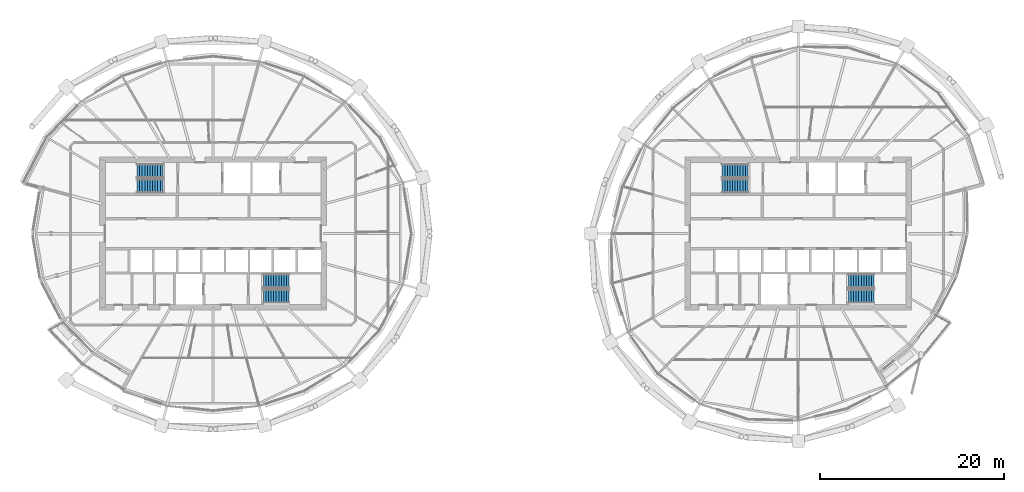
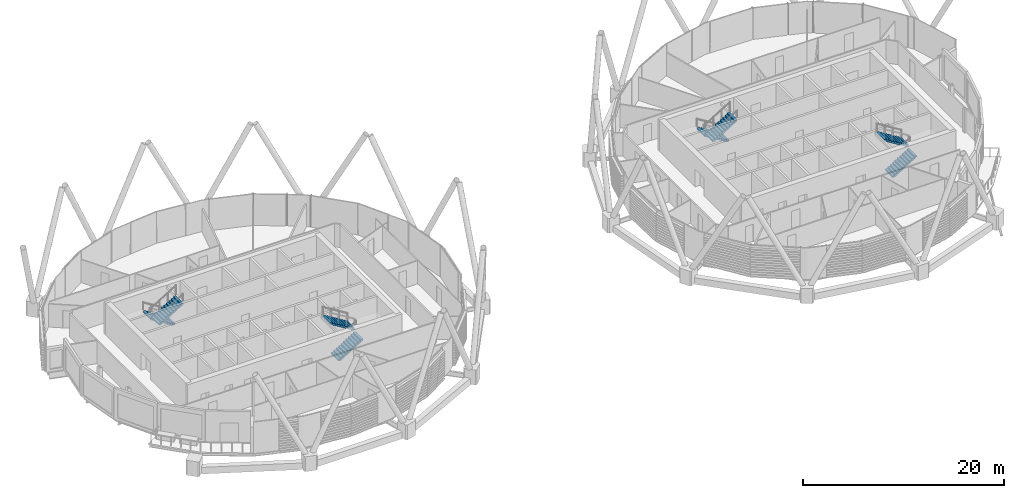
# One storey, part 28 of 36: 8 stair flights, 4 elements without a shape of their own.
"""IFC4 building model written with IfcOpenShell, lengths in metres."""

from ifc_helpers import new_model, si_unit, direction, frame, origin, place, context, subcontext, project, spatial, polyline, outline, extrude, material, type_object, element, aggregate, save


model = new_model("IFC4")

# Units and contexts
model_context = context("Model", 3, precision=1e-05, world=origin(), true_north=direction((0.0, 1.0)))
body_context = subcontext(model_context, "Body", "Model", "MODEL_VIEW")
ifc_project = project(units=[si_unit("LENGTHUNIT", "METRE"), si_unit("AREAUNIT", "SQUARE_METRE"), si_unit("VOLUMEUNIT", "CUBIC_METRE"), si_unit("PLANEANGLEUNIT", "RADIAN"), si_unit("MASSUNIT", "GRAM", prefix="KILO")], contexts=[model_context])

# Site, building, storey
site_placement = place(None, origin())
site = spatial("IfcSite", under=ifc_project, at=site_placement, CompositionType="ELEMENT")
building_placement = place(site_placement, origin())
building = spatial("IfcBuilding", under=site, at=building_placement, Name="Rimbun Link Towers", CompositionType="ELEMENT")
storey_placement = place(building_placement, frame((0.0, 0.0, 193.10009765625)))
storey = spatial("IfcBuildingStorey", under=building, at=storey_placement, Name="L47", CompositionType="ELEMENT", Elevation=193.10009765625)

# Stair, stair flights
ifc_material_1 = material(Name="Concrete C40/50", Category="concrete")
stair_type = type_object("IfcStairType", Name="Exit stair 3800 rise", PredefinedType="HALF_TURN_STAIR", material=ifc_material_1)
stair_1_placement = place(storey_placement, origin())
stair_1 = element("IfcStair", 1, at=stair_1_placement, inside=storey, type_object=stair_type, Name="L47 EXIT STAIR A", PredefinedType="HALF_TURN_STAIR")
ifc_material_2 = material(Name="Concrete C40/50", Category="concrete")
stair_flight_type = type_object("IfcStairFlightType", Name="Exit stair flight 3800 rise", PredefinedType="STRAIGHT", material=ifc_material_2)
stair_flight_1_placement = place(storey_placement, frame((-37.199951171875, 6.800048828125, 0.0), z_axis=(0.0, 0.0, 1.0), x_axis=(-1.0, 0.0, 0.0)))
stair_flight_1 = element("IfcStairFlight", 2, at=stair_flight_1_placement, type_object=stair_flight_type, Name="ST1 flight 1", NumberOfRisers=11, NumberOfTreads=10, PredefinedType="STRAIGHT", RiserHeight=0.172727273, TreadLength=0.28, context=body_context, shape_type="SweptSolid", body=[
    extrude(outline(polyline([(0.0, 0.0), (0.0, 0.172607421875), (0.280029296875, 0.172607421875), (0.280029296875, 0.345458984375), (0.56005859375, 0.345458984375), (0.56005859375, 0.51806640625), (0.840087890625, 0.51806640625), (0.840087890625, 0.69091796875), (1.1201171875, 0.69091796875), (1.1201171875, 0.863525390625), (1.39990234375, 0.863525390625), (1.39990234375, 1.036376953125), (1.679931640625, 1.036376953125), (1.679931640625, 1.208984375), (1.9599609375, 1.208984375), (1.9599609375, 1.3818359375), (2.239990234375, 1.3818359375), (2.239990234375, 1.554443359375), (2.52001953125, 1.554443359375), (2.52001953125, 1.727294921875), (2.800048828125, 1.727294921875), (2.800048828125, 1.89990234375), (2.800048828125, 1.551025390625), (0.280029296875, 0.0), (0.0, 0.0)])), frame((0.0, 0.75, 0.0), z_axis=(0.0, -1.0, 0.0), x_axis=(1.0, 0.0, 0.0)), (0.0, 0.0, 1.0), 1.5),
])
stair_flight_2_placement = place(storey_placement, frame((-40.0, 5.14990234375, 1.89990234375), z_axis=(0.0, 0.0, 1.0), x_axis=(1.0, 0.0, 0.0)))
stair_flight_2 = element("IfcStairFlight", 3, at=stair_flight_2_placement, type_object=stair_flight_type, Name="ST1 flight 2", NumberOfRisers=11, NumberOfTreads=10, PredefinedType="STRAIGHT", RiserHeight=0.172727273, TreadLength=0.28, context=body_context, shape_type="SweptSolid", body=[
    extrude(outline(polyline([(0.0, 0.0), (0.0, 0.172607421875), (0.280029296875, 0.172607421875), (0.280029296875, 0.345458984375), (0.56005859375, 0.345458984375), (0.56005859375, 0.51806640625), (0.840087890625, 0.51806640625), (0.840087890625, 0.69091796875), (1.1201171875, 0.69091796875), (1.1201171875, 0.863525390625), (1.39990234375, 0.863525390625), (1.39990234375, 1.036376953125), (1.679931640625, 1.036376953125), (1.679931640625, 1.208984375), (1.9599609375, 1.208984375), (1.9599609375, 1.3818359375), (2.239990234375, 1.3818359375), (2.239990234375, 1.554443359375), (2.52001953125, 1.554443359375), (2.52001953125, 1.727294921875), (2.800048828125, 1.727294921875), (2.800048828125, 1.89990234375), (2.800048828125, 1.551025390625), (0.280029296875, 0.0), (0.0, 0.0)])), frame((0.0, 0.75, 0.0), z_axis=(0.0, -1.0, 0.0), x_axis=(1.0, 0.0, 0.0)), (0.0, 0.0, 1.0), 1.5),
])
aggregate(stair_1, [stair_flight_1, stair_flight_2])

stair_2_placement = place(storey_placement, origin())
stair_2 = element("IfcStair", 4, at=stair_2_placement, inside=storey, type_object=stair_type, Name="L47 EXIT STAIR B", PredefinedType="HALF_TURN_STAIR")
stair_flight_3_placement = place(storey_placement, frame((-26.300048828125, -6.800048828125, 0.0), z_axis=(0.0, 0.0, 1.0), x_axis=(1.0, 0.0, 0.0)))
stair_flight_3 = element("IfcStairFlight", 5, at=stair_flight_3_placement, type_object=stair_flight_type, Name="ST2 flight 1", NumberOfRisers=11, NumberOfTreads=10, PredefinedType="STRAIGHT", RiserHeight=0.172727273, TreadLength=0.28, context=body_context, shape_type="SweptSolid", body=[
    extrude(outline(polyline([(0.0, 0.0), (0.0, 0.172607421875), (0.280029296875, 0.172607421875), (0.280029296875, 0.345458984375), (0.56005859375, 0.345458984375), (0.56005859375, 0.51806640625), (0.840087890625, 0.51806640625), (0.840087890625, 0.69091796875), (1.1201171875, 0.69091796875), (1.1201171875, 0.863525390625), (1.39990234375, 0.863525390625), (1.39990234375, 1.036376953125), (1.679931640625, 1.036376953125), (1.679931640625, 1.208984375), (1.9599609375, 1.208984375), (1.9599609375, 1.3818359375), (2.239990234375, 1.3818359375), (2.239990234375, 1.554443359375), (2.52001953125, 1.554443359375), (2.52001953125, 1.727294921875), (2.800048828125, 1.727294921875), (2.800048828125, 1.89990234375), (2.800048828125, 1.551025390625), (0.280029296875, 0.0), (0.0, 0.0)])), frame((0.0, 0.75, 0.0), z_axis=(0.0, -1.0, 0.0), x_axis=(1.0, 0.0, 0.0)), (0.0, 0.0, 1.0), 1.5),
])
stair_flight_4_placement = place(storey_placement, frame((-23.5, -5.14990234375, 1.89990234375), z_axis=(0.0, 0.0, 1.0), x_axis=(-1.0, 0.0, 0.0)))
stair_flight_4 = element("IfcStairFlight", 6, at=stair_flight_4_placement, type_object=stair_flight_type, Name="ST2 flight 2", NumberOfRisers=11, NumberOfTreads=10, PredefinedType="STRAIGHT", RiserHeight=0.172727273, TreadLength=0.28, context=body_context, shape_type="SweptSolid", body=[
    extrude(outline(polyline([(0.0, 0.0), (0.0, 0.172607421875), (0.280029296875, 0.172607421875), (0.280029296875, 0.345458984375), (0.56005859375, 0.345458984375), (0.56005859375, 0.51806640625), (0.840087890625, 0.51806640625), (0.840087890625, 0.69091796875), (1.1201171875, 0.69091796875), (1.1201171875, 0.863525390625), (1.39990234375, 0.863525390625), (1.39990234375, 1.036376953125), (1.679931640625, 1.036376953125), (1.679931640625, 1.208984375), (1.9599609375, 1.208984375), (1.9599609375, 1.3818359375), (2.239990234375, 1.3818359375), (2.239990234375, 1.554443359375), (2.52001953125, 1.554443359375), (2.52001953125, 1.727294921875), (2.800048828125, 1.727294921875), (2.800048828125, 1.89990234375), (2.800048828125, 1.551025390625), (0.280029296875, 0.0), (0.0, 0.0)])), frame((0.0, 0.75, 0.0), z_axis=(0.0, -1.0, 0.0), x_axis=(1.0, 0.0, 0.0)), (0.0, 0.0, 1.0), 1.5),
])
aggregate(stair_2, [stair_flight_3, stair_flight_4])

stair_3_placement = place(storey_placement, origin())
stair_3 = element("IfcStair", 7, at=stair_3_placement, inside=storey, type_object=stair_type, Name="L47 EXIT STAIR A", PredefinedType="HALF_TURN_STAIR")
stair_flight_5_placement = place(storey_placement, frame((26.300048828125, 6.800048828125, 0.0), z_axis=(0.0, 0.0, 1.0), x_axis=(-1.0, 0.0, 0.0)))
stair_flight_5 = element("IfcStairFlight", 8, at=stair_flight_5_placement, type_object=stair_flight_type, Name="ST3 flight 1", NumberOfRisers=11, NumberOfTreads=10, PredefinedType="STRAIGHT", RiserHeight=0.172727273, TreadLength=0.28, context=body_context, shape_type="SweptSolid", body=[
    extrude(outline(polyline([(0.0, 0.0), (0.0, 0.172607421875), (0.280029296875, 0.172607421875), (0.280029296875, 0.345458984375), (0.56005859375, 0.345458984375), (0.56005859375, 0.51806640625), (0.840087890625, 0.51806640625), (0.840087890625, 0.69091796875), (1.1201171875, 0.69091796875), (1.1201171875, 0.863525390625), (1.39990234375, 0.863525390625), (1.39990234375, 1.036376953125), (1.679931640625, 1.036376953125), (1.679931640625, 1.208984375), (1.9599609375, 1.208984375), (1.9599609375, 1.3818359375), (2.239990234375, 1.3818359375), (2.239990234375, 1.554443359375), (2.52001953125, 1.554443359375), (2.52001953125, 1.727294921875), (2.800048828125, 1.727294921875), (2.800048828125, 1.89990234375), (2.800048828125, 1.551025390625), (0.280029296875, 0.0), (0.0, 0.0)])), frame((0.0, 0.75, 0.0), z_axis=(0.0, -1.0, 0.0), x_axis=(1.0, 0.0, 0.0)), (0.0, 0.0, 1.0), 1.5),
])
stair_flight_6_placement = place(storey_placement, frame((23.5, 5.14990234375, 1.89990234375), z_axis=(0.0, 0.0, 1.0), x_axis=(1.0, 0.0, 0.0)))
stair_flight_6 = element("IfcStairFlight", 9, at=stair_flight_6_placement, type_object=stair_flight_type, Name="ST3 flight 2", NumberOfRisers=11, NumberOfTreads=10, PredefinedType="STRAIGHT", RiserHeight=0.172727273, TreadLength=0.28, context=body_context, shape_type="SweptSolid", body=[
    extrude(outline(polyline([(0.0, 0.0), (0.0, 0.172607421875), (0.280029296875, 0.172607421875), (0.280029296875, 0.345458984375), (0.56005859375, 0.345458984375), (0.56005859375, 0.51806640625), (0.840087890625, 0.51806640625), (0.840087890625, 0.69091796875), (1.1201171875, 0.69091796875), (1.1201171875, 0.863525390625), (1.39990234375, 0.863525390625), (1.39990234375, 1.036376953125), (1.679931640625, 1.036376953125), (1.679931640625, 1.208984375), (1.9599609375, 1.208984375), (1.9599609375, 1.3818359375), (2.239990234375, 1.3818359375), (2.239990234375, 1.554443359375), (2.52001953125, 1.554443359375), (2.52001953125, 1.727294921875), (2.800048828125, 1.727294921875), (2.800048828125, 1.89990234375), (2.800048828125, 1.551025390625), (0.280029296875, 0.0), (0.0, 0.0)])), frame((0.0, 0.75, 0.0), z_axis=(0.0, -1.0, 0.0), x_axis=(1.0, 0.0, 0.0)), (0.0, 0.0, 1.0), 1.5),
])
aggregate(stair_3, [stair_flight_5, stair_flight_6])

stair_4_placement = place(storey_placement, origin())
stair_4 = element("IfcStair", 10, at=stair_4_placement, inside=storey, type_object=stair_type, Name="L47 EXIT STAIR B", PredefinedType="HALF_TURN_STAIR")
stair_flight_7_placement = place(storey_placement, frame((37.199951171875, -6.800048828125, 0.0), z_axis=(0.0, 0.0, 1.0), x_axis=(1.0, 0.0, 0.0)))
stair_flight_7 = element("IfcStairFlight", 11, at=stair_flight_7_placement, type_object=stair_flight_type, Name="ST4 flight 1", NumberOfRisers=11, NumberOfTreads=10, PredefinedType="STRAIGHT", RiserHeight=0.172727273, TreadLength=0.28, context=body_context, shape_type="SweptSolid", body=[
    extrude(outline(polyline([(0.0, 0.0), (0.0, 0.172607421875), (0.280029296875, 0.172607421875), (0.280029296875, 0.345458984375), (0.56005859375, 0.345458984375), (0.56005859375, 0.51806640625), (0.840087890625, 0.51806640625), (0.840087890625, 0.69091796875), (1.1201171875, 0.69091796875), (1.1201171875, 0.863525390625), (1.39990234375, 0.863525390625), (1.39990234375, 1.036376953125), (1.679931640625, 1.036376953125), (1.679931640625, 1.208984375), (1.9599609375, 1.208984375), (1.9599609375, 1.3818359375), (2.239990234375, 1.3818359375), (2.239990234375, 1.554443359375), (2.52001953125, 1.554443359375), (2.52001953125, 1.727294921875), (2.800048828125, 1.727294921875), (2.800048828125, 1.89990234375), (2.800048828125, 1.551025390625), (0.280029296875, 0.0), (0.0, 0.0)])), frame((0.0, 0.75, 0.0), z_axis=(0.0, -1.0, 0.0), x_axis=(1.0, 0.0, 0.0)), (0.0, 0.0, 1.0), 1.5),
])
stair_flight_8_placement = place(storey_placement, frame((40.0, -5.14990234375, 1.89990234375), z_axis=(0.0, 0.0, 1.0), x_axis=(-1.0, 0.0, 0.0)))
stair_flight_8 = element("IfcStairFlight", 12, at=stair_flight_8_placement, type_object=stair_flight_type, Name="ST4 flight 2", NumberOfRisers=11, NumberOfTreads=10, PredefinedType="STRAIGHT", RiserHeight=0.172727273, TreadLength=0.28, context=body_context, shape_type="SweptSolid", body=[
    extrude(outline(polyline([(0.0, 0.0), (0.0, 0.172607421875), (0.280029296875, 0.172607421875), (0.280029296875, 0.345458984375), (0.56005859375, 0.345458984375), (0.56005859375, 0.51806640625), (0.840087890625, 0.51806640625), (0.840087890625, 0.69091796875), (1.1201171875, 0.69091796875), (1.1201171875, 0.863525390625), (1.39990234375, 0.863525390625), (1.39990234375, 1.036376953125), (1.679931640625, 1.036376953125), (1.679931640625, 1.208984375), (1.9599609375, 1.208984375), (1.9599609375, 1.3818359375), (2.239990234375, 1.3818359375), (2.239990234375, 1.554443359375), (2.52001953125, 1.554443359375), (2.52001953125, 1.727294921875), (2.800048828125, 1.727294921875), (2.800048828125, 1.89990234375), (2.800048828125, 1.551025390625), (0.280029296875, 0.0), (0.0, 0.0)])), frame((0.0, 0.75, 0.0), z_axis=(0.0, -1.0, 0.0), x_axis=(1.0, 0.0, 0.0)), (0.0, 0.0, 1.0), 1.5),
])
aggregate(stair_4, [stair_flight_7, stair_flight_8])

save(model, "model.ifc")
